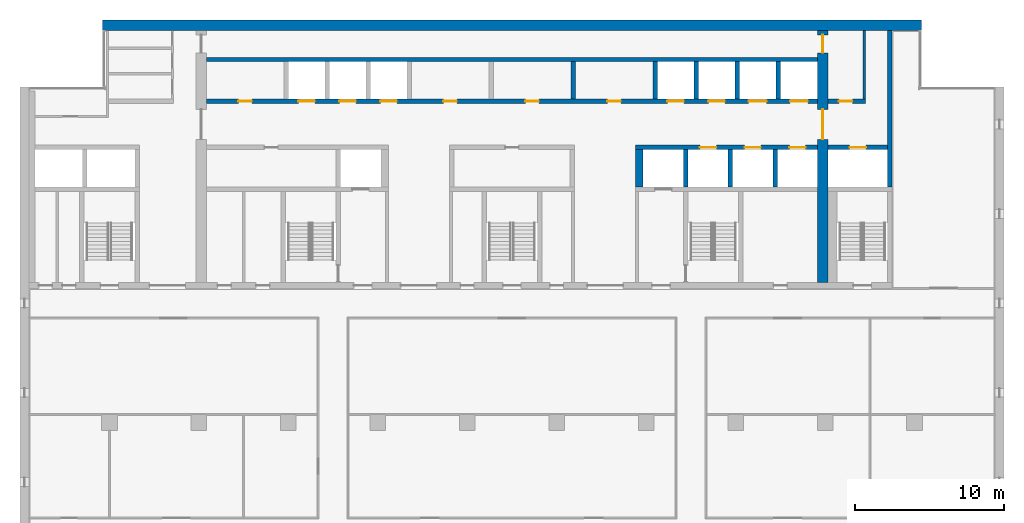
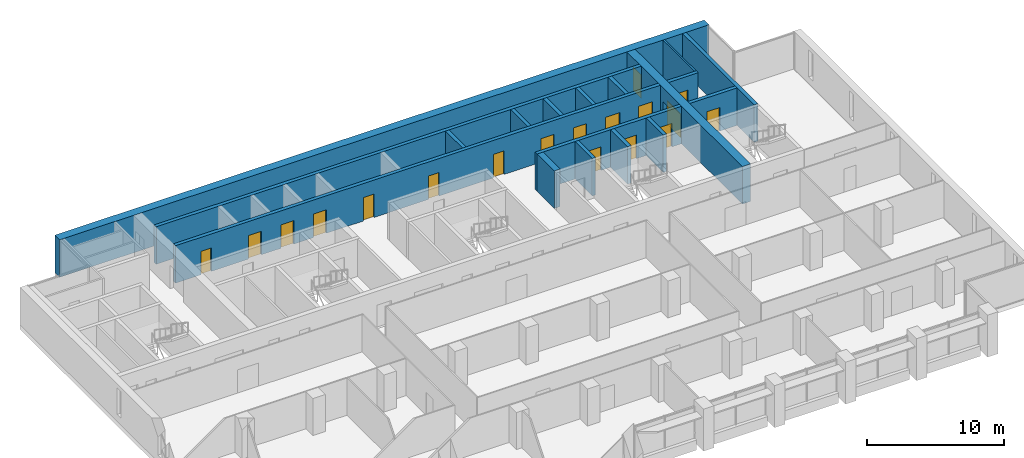
# One storey, part 11 of 17: 18 doors, 18 walls, 18 openings.
"""IFC4 building model written with IfcOpenShell, lengths in metres."""

import ifcopenshell
import ifcopenshell.guid

model = None  # the IFC model being written
_history = None  # IfcOwnerHistory: only IFC2X3 demands one
_inside = {}  # id of a spatial element -> (the spatial element, [elements in it])
_under = {}  # id of a project, library or spatial element -> (it, [spatial elements below it])
_declared = {}  # id of a project -> (the project, [libraries it declares])
_typed = {}  # id of a type object -> (the type object, [elements of that type])
_made_of = {}  # id of a material, layer set ... -> (it, [elements and type objects made of it])


def new_model(schema):
    """Start an empty IFC model of exactly this schema.

    Asked for "IFC4X3", IfcOpenShell would pick the latest addendum, in which some entities
    have other attributes; the version numbers below select the first issue.
    IFC2X3 requires an IfcOwnerHistory on every rooted entity: one is made here for all.
    """
    global model, _history
    if schema == "IFC4X3":
        model = ifcopenshell.file(schema_version=(4, 3, 0, 0))
    else:
        model = ifcopenshell.file(schema=schema)
    _inside.clear()
    _under.clear()
    _declared.clear()
    _typed.clear()
    _made_of.clear()
    _history = None
    if model.schema == "IFC2X3":
        org = make("IfcOrganization", Name="unknown")
        user = make(
            "IfcPersonAndOrganization",
            ThePerson=make("IfcPerson", FamilyName="unknown"),
            TheOrganization=org,
        )
        app = make(
            "IfcApplication",
            ApplicationDeveloper=org,
            Version="unknown",
            ApplicationFullName="unknown",
            ApplicationIdentifier="unknown",
        )
        _history = make(
            "IfcOwnerHistory",
            OwningUser=user,
            OwningApplication=app,
            ChangeAction="ADDED",
            CreationDate=0,
        )
    return model


def make(cls, **values):
    """One entity of the class cls with the attributes given. An attribute that is None is left unset."""
    return model.create_entity(
        cls, **{name: value for name, value in values.items() if value is not None}
    )


def rooted(cls, **values):
    """An entity with a GlobalId (a new one), such as an element, a storey or a relation."""
    return make(cls, GlobalId=ifcopenshell.guid.new(), OwnerHistory=_history, **values)


def si_unit(unit_type, name, prefix=None):
    """IfcSIUnit, for example si_unit("LENGTHUNIT", "METRE", prefix="MILLI")."""
    return make("IfcSIUnit", UnitType=unit_type, Prefix=prefix, Name=name)


def assignment(units):
    """IfcUnitAssignment: the units of a project."""
    return None if units is None else make("IfcUnitAssignment", Units=units)


def point(xyz):
    """IfcCartesianPoint."""
    return None if xyz is None else make("IfcCartesianPoint", Coordinates=xyz)


def direction(xyz):
    """IfcDirection."""
    return None if xyz is None else make("IfcDirection", DirectionRatios=xyz)


def frame(location, z_axis=None, x_axis=None):
    """IfcAxis2Placement3D, a coordinate frame: its origin and axes. An axis left out is left unset."""
    return make(
        "IfcAxis2Placement3D",
        Location=point(location),
        Axis=direction(z_axis),
        RefDirection=direction(x_axis),
    )


def frame_2d(location, x_axis=None):
    """IfcAxis2Placement2D, a coordinate frame in the plane: its origin and x axis."""
    return make(
        "IfcAxis2Placement2D", Location=point(location), RefDirection=direction(x_axis)
    )


def origin():
    """The frame at (0, 0, 0) with its axes left unset."""
    return frame((0.0, 0.0, 0.0))


def place(relative_to, where):
    """IfcLocalPlacement: puts the frame where relative to a parent placement (None: the world)."""
    return make(
        "IfcLocalPlacement", PlacementRelTo=relative_to, RelativePlacement=where
    )


def context(
    kind, dimensions, precision=None, world=None, true_north=None, identifier=None
):
    """IfcGeometricRepresentationContext, for example the 3D "Model" context."""
    return make(
        "IfcGeometricRepresentationContext",
        ContextIdentifier=identifier,
        ContextType=kind,
        CoordinateSpaceDimension=dimensions,
        Precision=precision,
        WorldCoordinateSystem=world,
        TrueNorth=true_north,
    )


def subcontext(parent, identifier, kind, view, scale=None):
    """IfcGeometricRepresentationSubContext, for example "Body" below "Model"."""
    return make(
        "IfcGeometricRepresentationSubContext",
        ContextIdentifier=identifier,
        ContextType=kind,
        ParentContext=parent,
        TargetScale=scale,
        TargetView=view,
    )


def project(units=None, contexts=None):
    """IfcProject with its units and contexts."""
    return rooted(
        "IfcProject",
        Name="project",
        RepresentationContexts=contexts,
        UnitsInContext=assignment(units),
    )


def spatial(cls, under=None, at=None, **own):
    """A site, building, storey or space (cls), placed at a placement, below another one or the project."""
    s = rooted(cls, ObjectPlacement=at, **own)
    if under is not None:
        _under.setdefault(under.id(), (under, []))[1].append(s)
    return s


def profile(cls, at=None, kind="AREA", **sizes):
    """A parametric profile (cls). Its sizes go by their IFC names, for example OverallWidth=200.0."""
    return make(cls, ProfileType=kind, Position=at, **sizes)


def rectangle(**sizes):
    """IfcRectangleProfileDef."""
    return profile("IfcRectangleProfileDef", **sizes)


def extrude(swept, where, along, depth):
    """IfcExtrudedAreaSolid: the profile swept, set in the frame where, extruded along a direction by depth."""
    return make(
        "IfcExtrudedAreaSolid",
        SweptArea=swept,
        Position=where,
        ExtrudedDirection=direction(along),
        Depth=depth,
    )


def shape(context_of_items, identifier, shape_type, items):
    """IfcShapeRepresentation: the items that make up one representation, for example the "Body"."""
    return make(
        "IfcShapeRepresentation",
        ContextOfItems=context_of_items,
        RepresentationIdentifier=identifier,
        RepresentationType=shape_type,
        Items=items,
    )


def material(Name=None, Category=None):
    """IfcMaterial."""
    return make("IfcMaterial", Name=Name, Category=Category)


def layer(
    of_material, thickness, ventilated=None, Name=None, Category=None, Priority=None
):
    """IfcMaterialLayer: one layer of a wall or slab, of a material (None: an air gap)."""
    return make(
        "IfcMaterialLayer",
        Material=of_material,
        LayerThickness=thickness,
        IsVentilated=ventilated,
        Name=Name,
        Category=Category,
        Priority=Priority,
    )


def layer_set(layers, Name=None):
    """IfcMaterialLayerSet."""
    return make("IfcMaterialLayerSet", MaterialLayers=layers, LayerSetName=Name)


def made_of(thing, what):
    """Note that an element or type object is made of a material, layer set ...; save() writes the relation."""
    if what is not None:
        _made_of.setdefault(what.id(), (what, []))[1].append(thing)
    return thing


def type_object(cls, material=None, **own):
    """A type object (cls), such as IfcWallType, which elements share."""
    return made_of(rooted(cls, **own), material)


def element(
    cls,
    number,
    at=None,
    inside=None,
    cuts=None,
    type_object=None,
    material=None,
    context=None,
    identifier="Body",
    shape_type=None,
    held_by="IfcProductDefinitionShape",
    body=None,
    shapes=None,
    **own,
):
    """One element of the class cls, such as IfcWall. Its Tag is "e" and its number.

    at: its placement. inside: the storey or other place that contains it. cuts: it is an
    opening in that element (IfcRelVoidsElement). A single representation is given by context,
    identifier, shape_type and body (its items); several are given by shapes. held_by: the class
    of the entity that holds the representations. save() writes the other relations.
    """
    e = rooted(cls, Tag="e%d" % number, ObjectPlacement=at, **own)
    if body is not None:
        shapes = [shape(context, identifier, shape_type, body)]
    if shapes is not None:
        e.Representation = make(held_by, Representations=shapes)
    if inside is not None:
        _inside.setdefault(inside.id(), (inside, []))[1].append(e)
    if cuts is not None:
        rooted(
            "IfcRelVoidsElement", RelatingBuildingElement=cuts, RelatedOpeningElement=e
        )
    if type_object is not None:
        _typed.setdefault(type_object.id(), (type_object, []))[1].append(e)
    return made_of(e, material)


def fill(opening, filler):
    """IfcRelFillsElement: the door or window that sits in an opening."""
    return rooted(
        "IfcRelFillsElement",
        RelatingOpeningElement=opening,
        RelatedBuildingElement=filler,
    )


def aggregate(whole, parts):
    """IfcRelAggregates: a whole, such as a stair, and the parts it consists of."""
    return rooted("IfcRelAggregates", RelatingObject=whole, RelatedObjects=parts)


def save(model, path):
    """Write the relations noted so far, then the file.

    IfcRelAggregates (storeys below a building ...), IfcRelContainedInSpatialStructure (elements
    in a storey), IfcRelDefinesByType, IfcRelAssociatesMaterial and IfcRelDeclares: one each for
    every whole, place, type object, material and project.
    """
    for whole, parts in _under.values():
        aggregate(whole, parts)
    for where, things in _inside.values():
        rooted(
            "IfcRelContainedInSpatialStructure",
            RelatedElements=things,
            RelatingStructure=where,
        )
    for kind, things in _typed.values():
        rooted("IfcRelDefinesByType", RelatedObjects=things, RelatingType=kind)
    for what, things in _made_of.values():
        rooted("IfcRelAssociatesMaterial", RelatedObjects=things, RelatingMaterial=what)
    for by, libraries in _declared.values():
        rooted("IfcRelDeclares", RelatingContext=by, RelatedDefinitions=libraries)
    model.write(path)


model = new_model("IFC4")

# Units and contexts
model_context = context("Model", 3, precision=1e-05, world=origin(), true_north=direction((0.0, 1.0)))
body_context = subcontext(model_context, "Body", "Model", "MODEL_VIEW")
ifc_project = project(units=[si_unit("LENGTHUNIT", "METRE"), si_unit("AREAUNIT", "SQUARE_METRE"), si_unit("VOLUMEUNIT", "CUBIC_METRE"), si_unit("PLANEANGLEUNIT", "RADIAN"), si_unit("MASSUNIT", "GRAM", prefix="KILO")], contexts=[model_context])

# Site, building, storey
site_placement = place(None, origin())
site = spatial("IfcSite", under=ifc_project, at=site_placement, CompositionType="ELEMENT")
building_placement = place(site_placement, origin())
building = spatial("IfcBuilding", under=site, at=building_placement, Name="Calvaro Tower", CompositionType="ELEMENT")
storey_placement = place(building_placement, frame((0.0, 0.0, 208.0)))
storey = spatial("IfcBuildingStorey", under=building, at=storey_placement, Name="L52", CompositionType="ELEMENT", Elevation=208.0)

# Wall
ifc_material_1 = material(Name="Blockwork partition", Category="masonry")
ifc_layer_1 = layer(ifc_material_1, 0.14990234375)
ifc_layer_set_1 = layer_set([ifc_layer_1], Name="Blockwork partition")
wall_type_1 = type_object("IfcWallType", Name="Core partition 150 REI 120", PredefinedType="PARTITIONING", material=ifc_layer_set_1)
wall_1_placement = place(storey_placement, frame((62.625, 40.699951171875, 0.0), z_axis=(0.0, 0.0, 1.0), x_axis=(0.0, 1.0, 0.0)))
element("IfcWall", 1, at=wall_1_placement, inside=storey, type_object=wall_type_1, Name="Core partition", PredefinedType="PARTITIONING", context=body_context, shape_type="SweptSolid", body=[
    extrude(rectangle(XDim=4.60009765625, YDim=0.14990234375, at=frame_2d((2.300048828125, 0.0))), origin(), (0.0, 0.0, 1.0), 3.35009765625),
])

# Wall, opening, door
ifc_material_2 = material(Name="Blockwork partition", Category="masonry")
ifc_layer_2 = layer(ifc_material_2, 0.300048828125)
ifc_layer_set_2 = layer_set([ifc_layer_2], Name="Blockwork partition")
wall_type_2 = type_object("IfcWallType", Name="Core partition 300 REI 120", PredefinedType="PARTITIONING", material=ifc_layer_set_2)
wall_2_placement = place(storey_placement, frame((60.199951171875, 40.550048828125, 0.0), z_axis=(0.0, 0.0, 1.0), x_axis=(1.0, 0.0, 0.0)))
wall_2 = element("IfcWall", 2, at=wall_2_placement, inside=storey, type_object=wall_type_2, Name="Core partition", PredefinedType="PARTITIONING", context=body_context, shape_type="SweptSolid", body=[
    extrude(rectangle(XDim=2.5, YDim=0.300048828125, at=frame_2d((1.25, 0.0))), origin(), (0.0, 0.0, 1.0), 3.35009765625),
])
opening_1_placement = place(wall_2_placement, frame((0.72509765625, 0.0, 0.0)))
opening_1 = element("IfcOpeningElement", 3, at=opening_1_placement, cuts=wall_2, Name="Opening RD9C", PredefinedType="OPENING", context=body_context, shape_type="SweptSolid", body=[
    extrude(rectangle(XDim=0.89990234375, YDim=2.10009765625, at=frame_2d((0.449951171875, 1.050048828125))), frame((0.0, 0.159912109375, 0.0), z_axis=(0.0, -1.0, 0.0), x_axis=(1.0, 0.0, 0.0)), (0.0, 0.0, 1.0), 0.320068359375),
])
ifc_material_3 = material(Name="Steel door set", Category="steel")
door_type_1 = type_object("IfcDoorType", Name="Room door 900 FD30", OperationType="SINGLE_SWING_LEFT", PredefinedType="DOOR", material=ifc_material_3)
door_1_placement = place(opening_1_placement, origin())
door_1 = element("IfcDoor", 4, at=door_1_placement, inside=storey, type_object=door_type_1, Name="Room door", OperationType="SINGLE_SWING_LEFT", OverallHeight=2.10009765625, OverallWidth=0.89990234375, PredefinedType="DOOR", context=body_context, shape_type="SweptSolid", body=[
    extrude(rectangle(XDim=0.89990234375, YDim=2.10009765625, at=frame_2d((0.449951171875, 1.050048828125))), frame((0.0, 0.02490234375, 0.0), z_axis=(0.0, -1.0, 0.0), x_axis=(1.0, 0.0, 0.0)), (0.0, 0.0, 1.0), 0.050048828125),
])
fill(opening_1, door_1)

# Walls
wall_3_placement = place(storey_placement, frame((43.10009765625, 40.699951171875, 0.0), z_axis=(0.0, 0.0, 1.0), x_axis=(0.0, 1.0, 0.0)))
element("IfcWall", 5, at=wall_3_placement, inside=storey, type_object=wall_type_2, Name="Core partition", PredefinedType="PARTITIONING", context=body_context, shape_type="SweptSolid", body=[
    extrude(rectangle(XDim=2.5, YDim=0.300048828125, at=frame_2d((1.25, 0.0))), origin(), (0.0, 0.0, 1.0), 3.35009765625),
])
ifc_material_4 = material(Name="Concrete C50/60", Category="concrete")
ifc_layer_3 = layer(ifc_material_4, 0.300048828125)
ifc_layer_set_3 = layer_set([ifc_layer_3], Name="Concrete C50/60")
wall_type_3 = type_object("IfcWallType", Name="Core wall C50/60 300", PredefinedType="SHEAR", material=ifc_layer_set_3)
wall_4_placement = place(storey_placement, frame((64.35009765625, 34.800048828125, 0.0), z_axis=(0.0, 0.0, 1.0), x_axis=(0.0, 1.0, 0.0)))
element("IfcWall", 6, at=wall_4_placement, inside=storey, type_object=wall_type_3, Name="Core wall, boundary", PredefinedType="SHEAR", context=body_context, shape_type="SweptSolid", body=[
    extrude(rectangle(XDim=10.5, YDim=0.300048828125, at=frame_2d((5.25, 0.0))), origin(), (0.0, 0.0, 1.0), 3.35009765625),
])

# Wall, openings, doors
wall_5_placement = place(storey_placement, frame((47.300048828125, 37.449951171875, 0.0), z_axis=(0.0, 0.0, 1.0), x_axis=(1.0, 0.0, 0.0)))
wall_5 = element("IfcWall", 7, at=wall_5_placement, inside=storey, type_object=wall_type_3, Name="Core wall, lift shaft", PredefinedType="SHEAR", context=body_context, shape_type="SweptSolid", body=[
    extrude(rectangle(XDim=12.199951171875, YDim=0.300048828125, at=frame_2d((6.10009765625, 0.0))), origin(), (0.0, 0.0, 1.0), 3.35009765625),
])
opening_2_placement = place(wall_5_placement, frame((4.300048828125, 0.0, 0.0)))
opening_2 = element("IfcOpeningElement", 8, at=opening_2_placement, cuts=wall_5, Name="Opening HR1", PredefinedType="OPENING", context=body_context, shape_type="SweptSolid", body=[
    extrude(rectangle(XDim=1.10009765625, YDim=2.10009765625, at=frame_2d((0.550048828125, 1.050048828125))), frame((0.0, 0.159912109375, 0.0), z_axis=(0.0, -1.0, 0.0), x_axis=(1.0, 0.0, 0.0)), (0.0, 0.0, 1.0), 0.320068359375),
])
opening_3_placement = place(wall_5_placement, frame((7.300048828125, 0.0, 0.0)))
opening_3 = element("IfcOpeningElement", 9, at=opening_3_placement, cuts=wall_5, Name="Opening HR2", PredefinedType="OPENING", context=body_context, shape_type="SweptSolid", body=[
    extrude(rectangle(XDim=1.10009765625, YDim=2.10009765625, at=frame_2d((0.550048828125, 1.050048828125))), frame((0.0, 0.159912109375, 0.0), z_axis=(0.0, -1.0, 0.0), x_axis=(1.0, 0.0, 0.0)), (0.0, 0.0, 1.0), 0.320068359375),
])
opening_4_placement = place(wall_5_placement, frame((10.300048828125, 0.0, 0.0)))
opening_4 = element("IfcOpeningElement", 10, at=opening_4_placement, cuts=wall_5, Name="Opening HR3", PredefinedType="OPENING", context=body_context, shape_type="SweptSolid", body=[
    extrude(rectangle(XDim=1.10009765625, YDim=2.10009765625, at=frame_2d((0.550048828125, 1.050048828125))), frame((0.0, 0.159912109375, 0.0), z_axis=(0.0, -1.0, 0.0), x_axis=(1.0, 0.0, 0.0)), (0.0, 0.0, 1.0), 0.320068359375),
])
ifc_material_5 = material(Name="Stainless steel", Category="steel")
door_type_2 = type_object("IfcDoorType", Name="Landing door 1100 E 60", OperationType="SLIDING_TO_LEFT", PredefinedType="DOOR", material=ifc_material_5)
door_2_placement = place(opening_2_placement, origin())
door_2 = element("IfcDoor", 11, at=door_2_placement, inside=storey, type_object=door_type_2, Name="Landing door HR1", OperationType="SLIDING_TO_LEFT", OverallHeight=2.10009765625, OverallWidth=1.10009765625, PredefinedType="DOOR", context=body_context, shape_type="SweptSolid", body=[
    extrude(rectangle(XDim=1.10009765625, YDim=2.10009765625, at=frame_2d((0.550048828125, 1.050048828125))), frame((0.0, 0.02490234375, 0.0), z_axis=(0.0, -1.0, 0.0), x_axis=(1.0, 0.0, 0.0)), (0.0, 0.0, 1.0), 0.050048828125),
])
fill(opening_2, door_2)
door_3_placement = place(opening_3_placement, origin())
door_3 = element("IfcDoor", 12, at=door_3_placement, inside=storey, type_object=door_type_2, Name="Landing door HR2", OperationType="SLIDING_TO_LEFT", OverallHeight=2.10009765625, OverallWidth=1.10009765625, PredefinedType="DOOR", context=body_context, shape_type="SweptSolid", body=[
    extrude(rectangle(XDim=1.10009765625, YDim=2.10009765625, at=frame_2d((0.550048828125, 1.050048828125))), frame((0.0, 0.02490234375, 0.0), z_axis=(0.0, -1.0, 0.0), x_axis=(1.0, 0.0, 0.0)), (0.0, 0.0, 1.0), 0.050048828125),
])
fill(opening_3, door_3)
door_4_placement = place(opening_4_placement, origin())
door_4 = element("IfcDoor", 13, at=door_4_placement, inside=storey, type_object=door_type_2, Name="Landing door HR3", OperationType="SLIDING_TO_LEFT", OverallHeight=2.10009765625, OverallWidth=1.10009765625, PredefinedType="DOOR", context=body_context, shape_type="SweptSolid", body=[
    extrude(rectangle(XDim=1.10009765625, YDim=2.10009765625, at=frame_2d((0.550048828125, 1.050048828125))), frame((0.0, 0.02490234375, 0.0), z_axis=(0.0, -1.0, 0.0), x_axis=(1.0, 0.0, 0.0)), (0.0, 0.0, 1.0), 0.050048828125),
])
fill(opening_4, door_4)

# Wall, opening, door
wall_6_placement = place(storey_placement, frame((60.199951171875, 37.449951171875, 0.0), z_axis=(0.0, 0.0, 1.0), x_axis=(1.0, 0.0, 0.0)))
wall_6 = element("IfcWall", 14, at=wall_6_placement, inside=storey, type_object=wall_type_3, Name="Core wall, lift shaft", PredefinedType="SHEAR", context=body_context, shape_type="SweptSolid", body=[
    extrude(rectangle(XDim=4.0, YDim=0.300048828125, at=frame_2d((2.0, 0.0))), origin(), (0.0, 0.0, 1.0), 3.35009765625),
])
opening_5_placement = place(wall_6_placement, frame((1.449951171875, 0.0, 0.0)))
opening_5 = element("IfcOpeningElement", 15, at=opening_5_placement, cuts=wall_6, Name="Opening FF3", PredefinedType="OPENING", context=body_context, shape_type="SweptSolid", body=[
    extrude(rectangle(XDim=1.10009765625, YDim=2.10009765625, at=frame_2d((0.550048828125, 1.050048828125))), frame((0.0, 0.159912109375, 0.0), z_axis=(0.0, -1.0, 0.0), x_axis=(1.0, 0.0, 0.0)), (0.0, 0.0, 1.0), 0.320068359375),
])
door_5_placement = place(opening_5_placement, origin())
door_5 = element("IfcDoor", 16, at=door_5_placement, inside=storey, type_object=door_type_2, Name="Landing door FF3", OperationType="SLIDING_TO_LEFT", OverallHeight=2.10009765625, OverallWidth=1.10009765625, PredefinedType="DOOR", context=body_context, shape_type="SweptSolid", body=[
    extrude(rectangle(XDim=1.10009765625, YDim=2.10009765625, at=frame_2d((0.550048828125, 1.050048828125))), frame((0.0, 0.02490234375, 0.0), z_axis=(0.0, -1.0, 0.0), x_axis=(1.0, 0.0, 0.0)), (0.0, 0.0, 1.0), 0.050048828125),
])
fill(opening_5, door_5)

# Wall
wall_7_placement = place(storey_placement, frame((50.64990234375, 34.800048828125, 0.0), z_axis=(0.0, 0.0, 1.0), x_axis=(0.0, 1.0, 0.0)))
element("IfcWall", 17, at=wall_7_placement, inside=storey, type_object=wall_type_3, Name="Core wall, lift shaft", PredefinedType="SHEAR", context=body_context, shape_type="SweptSolid", body=[
    extrude(rectangle(XDim=2.5, YDim=0.300048828125, at=frame_2d((1.25, 0.0))), origin(), (0.0, 0.0, 1.0), 3.35009765625),
])

# Wall, openings, doors
wall_8_placement = place(storey_placement, frame((18.5, 40.550048828125, 0.0), z_axis=(0.0, 0.0, 1.0), x_axis=(1.0, 0.0, 0.0)))
wall_8 = element("IfcWall", 18, at=wall_8_placement, inside=storey, type_object=wall_type_3, Name="Core wall, bay", PredefinedType="SHEAR", context=body_context, shape_type="SweptSolid", body=[
    extrude(rectangle(XDim=41.0, YDim=0.300048828125, at=frame_2d((20.5, 0.0))), origin(), (0.0, 0.0, 1.0), 3.35009765625),
])
opening_6_placement = place(wall_8_placement, frame((2.14990234375, 0.0, 0.0)))
opening_6 = element("IfcOpeningElement", 19, at=opening_6_placement, cuts=wall_8, Name="Opening RD9C", PredefinedType="OPENING", context=body_context, shape_type="SweptSolid", body=[
    extrude(rectangle(XDim=0.89990234375, YDim=2.10009765625, at=frame_2d((0.449951171875, 1.050048828125))), frame((0.0, 0.159912109375, 0.0), z_axis=(0.0, -1.0, 0.0), x_axis=(1.0, 0.0, 0.0)), (0.0, 0.0, 1.0), 0.320068359375),
])
opening_7_placement = place(wall_8_placement, frame((15.89990234375, 0.0, 0.0)))
opening_7 = element("IfcOpeningElement", 20, at=opening_7_placement, cuts=wall_8, Name="Opening RD9E", PredefinedType="OPENING", context=body_context, shape_type="SweptSolid", body=[
    extrude(rectangle(XDim=0.89990234375, YDim=2.10009765625, at=frame_2d((0.449951171875, 1.050048828125))), frame((0.0, 0.159912109375, 0.0), z_axis=(0.0, -1.0, 0.0), x_axis=(1.0, 0.0, 0.0)), (0.0, 0.0, 1.0), 0.320068359375),
])
opening_8_placement = place(wall_8_placement, frame((21.39990234375, 0.0, 0.0)))
opening_8 = element("IfcOpeningElement", 21, at=opening_8_placement, cuts=wall_8, Name="Opening RD9C", PredefinedType="OPENING", context=body_context, shape_type="SweptSolid", body=[
    extrude(rectangle(XDim=0.89990234375, YDim=2.10009765625, at=frame_2d((0.449951171875, 1.050048828125))), frame((0.0, 0.159912109375, 0.0), z_axis=(0.0, -1.0, 0.0), x_axis=(1.0, 0.0, 0.0)), (0.0, 0.0, 1.0), 0.320068359375),
])
opening_9_placement = place(wall_8_placement, frame((26.89990234375, 0.0, 0.0)))
opening_9 = element("IfcOpeningElement", 22, at=opening_9_placement, cuts=wall_8, Name="Opening RD9E", PredefinedType="OPENING", context=body_context, shape_type="SweptSolid", body=[
    extrude(rectangle(XDim=0.89990234375, YDim=2.10009765625, at=frame_2d((0.449951171875, 1.050048828125))), frame((0.0, 0.159912109375, 0.0), z_axis=(0.0, -1.0, 0.0), x_axis=(1.0, 0.0, 0.0)), (0.0, 0.0, 1.0), 0.320068359375),
])
opening_10_placement = place(wall_8_placement, frame((6.175048828125, 0.0, 0.0)))
opening_10 = element("IfcOpeningElement", 23, at=opening_10_placement, cuts=wall_8, Name="Opening HR4", PredefinedType="OPENING", context=body_context, shape_type="SweptSolid", body=[
    extrude(rectangle(XDim=1.10009765625, YDim=2.10009765625, at=frame_2d((0.550048828125, 1.050048828125))), frame((0.0, 0.159912109375, 0.0), z_axis=(0.0, -1.0, 0.0), x_axis=(1.0, 0.0, 0.0)), (0.0, 0.0, 1.0), 0.320068359375),
])
opening_11_placement = place(wall_8_placement, frame((8.925048828125, 0.0, 0.0)))
opening_11 = element("IfcOpeningElement", 24, at=opening_11_placement, cuts=wall_8, Name="Opening HR5", PredefinedType="OPENING", context=body_context, shape_type="SweptSolid", body=[
    extrude(rectangle(XDim=1.10009765625, YDim=2.10009765625, at=frame_2d((0.550048828125, 1.050048828125))), frame((0.0, 0.159912109375, 0.0), z_axis=(0.0, -1.0, 0.0), x_axis=(1.0, 0.0, 0.0)), (0.0, 0.0, 1.0), 0.320068359375),
])
opening_12_placement = place(wall_8_placement, frame((11.675048828125, 0.0, 0.0)))
opening_12 = element("IfcOpeningElement", 25, at=opening_12_placement, cuts=wall_8, Name="Opening HR6", PredefinedType="OPENING", context=body_context, shape_type="SweptSolid", body=[
    extrude(rectangle(XDim=1.10009765625, YDim=2.10009765625, at=frame_2d((0.550048828125, 1.050048828125))), frame((0.0, 0.159912109375, 0.0), z_axis=(0.0, -1.0, 0.0), x_axis=(1.0, 0.0, 0.0)), (0.0, 0.0, 1.0), 0.320068359375),
])
opening_13_placement = place(wall_8_placement, frame((30.925048828125, 0.0, 0.0)))
opening_13 = element("IfcOpeningElement", 26, at=opening_13_placement, cuts=wall_8, Name="Opening HR7", PredefinedType="OPENING", context=body_context, shape_type="SweptSolid", body=[
    extrude(rectangle(XDim=1.10009765625, YDim=2.10009765625, at=frame_2d((0.550048828125, 1.050048828125))), frame((0.0, 0.159912109375, 0.0), z_axis=(0.0, -1.0, 0.0), x_axis=(1.0, 0.0, 0.0)), (0.0, 0.0, 1.0), 0.320068359375),
])
opening_14_placement = place(wall_8_placement, frame((33.675048828125, 0.0, 0.0)))
opening_14 = element("IfcOpeningElement", 27, at=opening_14_placement, cuts=wall_8, Name="Opening HR8", PredefinedType="OPENING", context=body_context, shape_type="SweptSolid", body=[
    extrude(rectangle(XDim=1.10009765625, YDim=2.10009765625, at=frame_2d((0.550048828125, 1.050048828125))), frame((0.0, 0.159912109375, 0.0), z_axis=(0.0, -1.0, 0.0), x_axis=(1.0, 0.0, 0.0)), (0.0, 0.0, 1.0), 0.320068359375),
])
opening_15_placement = place(wall_8_placement, frame((36.375, 0.0, 0.0)))
opening_15 = element("IfcOpeningElement", 28, at=opening_15_placement, cuts=wall_8, Name="Opening SV1", PredefinedType="OPENING", context=body_context, shape_type="SweptSolid", body=[
    extrude(rectangle(XDim=1.199951171875, YDim=2.10009765625, at=frame_2d((0.60009765625, 1.050048828125))), frame((0.0, 0.159912109375, 0.0), z_axis=(0.0, -1.0, 0.0), x_axis=(1.0, 0.0, 0.0)), (0.0, 0.0, 1.0), 0.320068359375),
])
opening_16_placement = place(wall_8_placement, frame((39.14990234375, 0.0, 0.0)))
opening_16 = element("IfcOpeningElement", 29, at=opening_16_placement, cuts=wall_8, Name="Opening SV2", PredefinedType="OPENING", context=body_context, shape_type="SweptSolid", body=[
    extrude(rectangle(XDim=1.199951171875, YDim=2.10009765625, at=frame_2d((0.60009765625, 1.050048828125))), frame((0.0, 0.159912109375, 0.0), z_axis=(0.0, -1.0, 0.0), x_axis=(1.0, 0.0, 0.0)), (0.0, 0.0, 1.0), 0.320068359375),
])
door_6_placement = place(opening_10_placement, origin())
door_6 = element("IfcDoor", 30, at=door_6_placement, inside=storey, type_object=door_type_2, Name="Landing door HR4", OperationType="SLIDING_TO_LEFT", OverallHeight=2.10009765625, OverallWidth=1.10009765625, PredefinedType="DOOR", context=body_context, shape_type="SweptSolid", body=[
    extrude(rectangle(XDim=1.10009765625, YDim=2.10009765625, at=frame_2d((0.550048828125, 1.050048828125))), frame((0.0, 0.02490234375, 0.0), z_axis=(0.0, -1.0, 0.0), x_axis=(1.0, 0.0, 0.0)), (0.0, 0.0, 1.0), 0.050048828125),
])
fill(opening_10, door_6)
door_7_placement = place(opening_11_placement, origin())
door_7 = element("IfcDoor", 31, at=door_7_placement, inside=storey, type_object=door_type_2, Name="Landing door HR5", OperationType="SLIDING_TO_LEFT", OverallHeight=2.10009765625, OverallWidth=1.10009765625, PredefinedType="DOOR", context=body_context, shape_type="SweptSolid", body=[
    extrude(rectangle(XDim=1.10009765625, YDim=2.10009765625, at=frame_2d((0.550048828125, 1.050048828125))), frame((0.0, 0.02490234375, 0.0), z_axis=(0.0, -1.0, 0.0), x_axis=(1.0, 0.0, 0.0)), (0.0, 0.0, 1.0), 0.050048828125),
])
fill(opening_11, door_7)
door_8_placement = place(opening_12_placement, origin())
door_8 = element("IfcDoor", 32, at=door_8_placement, inside=storey, type_object=door_type_2, Name="Landing door HR6", OperationType="SLIDING_TO_LEFT", OverallHeight=2.10009765625, OverallWidth=1.10009765625, PredefinedType="DOOR", context=body_context, shape_type="SweptSolid", body=[
    extrude(rectangle(XDim=1.10009765625, YDim=2.10009765625, at=frame_2d((0.550048828125, 1.050048828125))), frame((0.0, 0.02490234375, 0.0), z_axis=(0.0, -1.0, 0.0), x_axis=(1.0, 0.0, 0.0)), (0.0, 0.0, 1.0), 0.050048828125),
])
fill(opening_12, door_8)
door_9_placement = place(opening_13_placement, origin())
door_9 = element("IfcDoor", 33, at=door_9_placement, inside=storey, type_object=door_type_2, Name="Landing door HR7", OperationType="SLIDING_TO_LEFT", OverallHeight=2.10009765625, OverallWidth=1.10009765625, PredefinedType="DOOR", context=body_context, shape_type="SweptSolid", body=[
    extrude(rectangle(XDim=1.10009765625, YDim=2.10009765625, at=frame_2d((0.550048828125, 1.050048828125))), frame((0.0, 0.02490234375, 0.0), z_axis=(0.0, -1.0, 0.0), x_axis=(1.0, 0.0, 0.0)), (0.0, 0.0, 1.0), 0.050048828125),
])
fill(opening_13, door_9)
door_10_placement = place(opening_14_placement, origin())
door_10 = element("IfcDoor", 34, at=door_10_placement, inside=storey, type_object=door_type_2, Name="Landing door HR8", OperationType="SLIDING_TO_LEFT", OverallHeight=2.10009765625, OverallWidth=1.10009765625, PredefinedType="DOOR", context=body_context, shape_type="SweptSolid", body=[
    extrude(rectangle(XDim=1.10009765625, YDim=2.10009765625, at=frame_2d((0.550048828125, 1.050048828125))), frame((0.0, 0.02490234375, 0.0), z_axis=(0.0, -1.0, 0.0), x_axis=(1.0, 0.0, 0.0)), (0.0, 0.0, 1.0), 0.050048828125),
])
fill(opening_14, door_10)
ifc_material_6 = material(Name="Stainless steel", Category="steel")
door_type_3 = type_object("IfcDoorType", Name="Landing door 1200 E 60", OperationType="SLIDING_TO_LEFT", PredefinedType="DOOR", material=ifc_material_6)
door_11_placement = place(opening_15_placement, origin())
door_11 = element("IfcDoor", 35, at=door_11_placement, inside=storey, type_object=door_type_3, Name="Landing door SV1", OperationType="SLIDING_TO_LEFT", OverallHeight=2.10009765625, OverallWidth=1.199951171875, PredefinedType="DOOR", context=body_context, shape_type="SweptSolid", body=[
    extrude(rectangle(XDim=1.199951171875, YDim=2.10009765625, at=frame_2d((0.60009765625, 1.050048828125))), frame((0.0, 0.02490234375, 0.0), z_axis=(0.0, -1.0, 0.0), x_axis=(1.0, 0.0, 0.0)), (0.0, 0.0, 1.0), 0.050048828125),
])
fill(opening_15, door_11)
door_12_placement = place(opening_16_placement, origin())
door_12 = element("IfcDoor", 36, at=door_12_placement, inside=storey, type_object=door_type_3, Name="Landing door SV2", OperationType="SLIDING_TO_LEFT", OverallHeight=2.10009765625, OverallWidth=1.199951171875, PredefinedType="DOOR", context=body_context, shape_type="SweptSolid", body=[
    extrude(rectangle(XDim=1.199951171875, YDim=2.10009765625, at=frame_2d((0.60009765625, 1.050048828125))), frame((0.0, 0.02490234375, 0.0), z_axis=(0.0, -1.0, 0.0), x_axis=(1.0, 0.0, 0.0)), (0.0, 0.0, 1.0), 0.050048828125),
])
fill(opening_16, door_12)
door_13_placement = place(opening_6_placement, origin())
door_13 = element("IfcDoor", 37, at=door_13_placement, inside=storey, type_object=door_type_1, Name="Room door", OperationType="SINGLE_SWING_RIGHT", OverallHeight=2.10009765625, OverallWidth=0.89990234375, PredefinedType="DOOR", context=body_context, shape_type="SweptSolid", body=[
    extrude(rectangle(XDim=0.89990234375, YDim=2.10009765625, at=frame_2d((0.449951171875, 1.050048828125))), frame((0.0, 0.02490234375, 0.0), z_axis=(0.0, -1.0, 0.0), x_axis=(1.0, 0.0, 0.0)), (0.0, 0.0, 1.0), 0.050048828125),
])
fill(opening_6, door_13)
door_14_placement = place(opening_8_placement, origin())
door_14 = element("IfcDoor", 38, at=door_14_placement, inside=storey, type_object=door_type_1, Name="Room door", OperationType="SINGLE_SWING_LEFT", OverallHeight=2.10009765625, OverallWidth=0.89990234375, PredefinedType="DOOR", context=body_context, shape_type="SweptSolid", body=[
    extrude(rectangle(XDim=0.89990234375, YDim=2.10009765625, at=frame_2d((0.449951171875, 1.050048828125))), frame((0.0, 0.02490234375, 0.0), z_axis=(0.0, -1.0, 0.0), x_axis=(1.0, 0.0, 0.0)), (0.0, 0.0, 1.0), 0.050048828125),
])
fill(opening_8, door_14)
ifc_material_7 = material(Name="Steel door set", Category="steel")
door_type_4 = type_object("IfcDoorType", Name="Room door 900 FD60", OperationType="SINGLE_SWING_LEFT", PredefinedType="DOOR", material=ifc_material_7)
door_15_placement = place(opening_7_placement, origin())
door_15 = element("IfcDoor", 39, at=door_15_placement, inside=storey, type_object=door_type_4, Name="Room door", OperationType="SINGLE_SWING_LEFT", OverallHeight=2.10009765625, OverallWidth=0.89990234375, PredefinedType="DOOR", context=body_context, shape_type="SweptSolid", body=[
    extrude(rectangle(XDim=0.89990234375, YDim=2.10009765625, at=frame_2d((0.449951171875, 1.050048828125))), frame((0.0, 0.02490234375, 0.0), z_axis=(0.0, -1.0, 0.0), x_axis=(1.0, 0.0, 0.0)), (0.0, 0.0, 1.0), 0.050048828125),
])
fill(opening_7, door_15)
door_16_placement = place(opening_9_placement, origin())
door_16 = element("IfcDoor", 40, at=door_16_placement, inside=storey, type_object=door_type_4, Name="Room door", OperationType="SINGLE_SWING_LEFT", OverallHeight=2.10009765625, OverallWidth=0.89990234375, PredefinedType="DOOR", context=body_context, shape_type="SweptSolid", body=[
    extrude(rectangle(XDim=0.89990234375, YDim=2.10009765625, at=frame_2d((0.449951171875, 1.050048828125))), frame((0.0, 0.02490234375, 0.0), z_axis=(0.0, -1.0, 0.0), x_axis=(1.0, 0.0, 0.0)), (0.0, 0.0, 1.0), 0.050048828125),
])
fill(opening_9, door_16)

# Walls
wall_9_placement = place(storey_placement, frame((18.5, 43.35009765625, 0.0), z_axis=(0.0, 0.0, 1.0), x_axis=(1.0, 0.0, 0.0)))
element("IfcWall", 41, at=wall_9_placement, inside=storey, type_object=wall_type_3, Name="Core wall, lift shaft", PredefinedType="SHEAR", context=body_context, shape_type="SweptSolid", body=[
    extrude(rectangle(XDim=41.0, YDim=0.300048828125, at=frame_2d((20.5, 0.0))), origin(), (0.0, 0.0, 1.0), 3.35009765625),
])
for number, where, z_axis, x_axis, name in (
    (42, (53.64990234375, 34.800048828125, 0.0), (0.0, 0.0, 1.0), (0.0, 1.0, 0.0), "Core wall, lift shaft"),
    (43, (56.64990234375, 34.800048828125, 0.0), (0.0, 0.0, 1.0), (0.0, 1.0, 0.0), "Core wall, lift shaft"),
    (44, (48.60009765625, 40.699951171875, 0.0), (0.0, 0.0, 1.0), (0.0, 1.0, 0.0), "Core wall, lift shaft"),
    (45, (51.35009765625, 40.699951171875, 0.0), (0.0, 0.0, 1.0), (0.0, 1.0, 0.0), "Core wall, lift shaft"),
    (46, (54.10009765625, 40.699951171875, 0.0), (0.0, 0.0, 1.0), (0.0, 1.0, 0.0), "Core wall, lift shaft"),
    (47, (56.85009765625, 40.699951171875, 0.0), (0.0, 0.0, 1.0), (0.0, 1.0, 0.0), "Core wall, lift shaft"),
):
    element("IfcWall", number, at=place(storey_placement, frame(where, z_axis=z_axis, x_axis=x_axis)), inside=storey, type_object=wall_type_3, Name=name, PredefinedType="SHEAR", context=body_context, shape_type="SweptSolid", body=[
        extrude(rectangle(XDim=2.5, YDim=0.300048828125, at=frame_2d((1.25, 0.0))), origin(), (0.0, 0.0, 1.0), 3.35009765625),
    ])
ifc_material_8 = material(Name="Concrete C50/60", Category="concrete")
ifc_layer_4 = layer(ifc_material_8, 0.5)
ifc_layer_set_4 = layer_set([ifc_layer_4], Name="Concrete C50/60")
wall_type_4 = type_object("IfcWallType", Name="Core wall C50/60 500", PredefinedType="SHEAR", material=ifc_layer_set_4)
wall_10_placement = place(storey_placement, frame((47.550048828125, 34.800048828125, 0.0), z_axis=(0.0, 0.0, 1.0), x_axis=(0.0, 1.0, 0.0)))
element("IfcWall", 48, at=wall_10_placement, inside=storey, type_object=wall_type_4, Name="Core wall, lift shaft", PredefinedType="SHEAR", context=body_context, shape_type="SweptSolid", body=[
    extrude(rectangle(XDim=2.5, YDim=0.5, at=frame_2d((1.25, 0.0))), origin(), (0.0, 0.0, 1.0), 3.35009765625),
])

# Wall, openings, doors
ifc_material_9 = material(Name="Concrete C50/60", Category="concrete")
ifc_layer_5 = layer(ifc_material_9, 0.699951171875)
ifc_layer_set_5 = layer_set([ifc_layer_5], Name="Concrete C50/60")
wall_type_5 = type_object("IfcWallType", Name="Core wall C50/60 700", PredefinedType="SHEAR", material=ifc_layer_set_5)
wall_11_placement = place(storey_placement, frame((59.85009765625, 28.39990234375, 0.0), z_axis=(0.0, 0.0, 1.0), x_axis=(0.0, 1.0, 0.0)))
wall_11 = element("IfcWall", 49, at=wall_11_placement, inside=storey, type_object=wall_type_5, Name="Core wall, cross shear wall", PredefinedType="SHEAR", context=body_context, shape_type="SweptSolid", body=[
    extrude(rectangle(XDim=16.900146484375, YDim=0.699951171875, at=frame_2d((8.4501953125, 0.0))), origin(), (0.0, 0.0, 1.0), 3.35009765625),
])
opening_17_placement = place(wall_11_placement, frame((9.60009765625, 0.0, 0.0)))
opening_17 = element("IfcOpeningElement", 50, at=opening_17_placement, cuts=wall_11, Name="Opening DD20D", PredefinedType="OPENING", context=body_context, shape_type="SweptSolid", body=[
    extrude(rectangle(XDim=2.0, YDim=2.10009765625, at=frame_2d((1.0, 1.050048828125))), frame((0.0, 0.35986328125, 0.0), z_axis=(0.0, -1.0, 0.0), x_axis=(1.0, 0.0, 0.0)), (0.0, 0.0, 1.0), 0.719970703125),
])
opening_18_placement = place(wall_11_placement, frame((15.39990234375, 0.0, 0.0)))
opening_18 = element("IfcOpeningElement", 51, at=opening_18_placement, cuts=wall_11, Name="Opening FD12C", PredefinedType="OPENING", context=body_context, shape_type="SweptSolid", body=[
    extrude(rectangle(XDim=1.199951171875, YDim=2.10009765625, at=frame_2d((0.60009765625, 1.050048828125))), frame((0.0, 0.35986328125, 0.0), z_axis=(0.0, -1.0, 0.0), x_axis=(1.0, 0.0, 0.0)), (0.0, 0.0, 1.0), 0.719970703125),
])
ifc_material_10 = material(Name="Steel door set", Category="steel")
door_type_5 = type_object("IfcDoorType", Name="Fire door 1200 FD30", OperationType="SINGLE_SWING_LEFT", PredefinedType="DOOR", material=ifc_material_10)
door_17_placement = place(opening_18_placement, origin())
door_17 = element("IfcDoor", 52, at=door_17_placement, inside=storey, type_object=door_type_5, Name="Fire door", OperationType="SINGLE_SWING_LEFT", OverallHeight=2.10009765625, OverallWidth=1.199951171875, PredefinedType="DOOR", context=body_context, shape_type="SweptSolid", body=[
    extrude(rectangle(XDim=1.199951171875, YDim=2.10009765625, at=frame_2d((0.60009765625, 1.050048828125))), frame((0.0, 0.02490234375, 0.0), z_axis=(0.0, -1.0, 0.0), x_axis=(1.0, 0.0, 0.0)), (0.0, 0.0, 1.0), 0.050048828125),
])
fill(opening_18, door_17)
ifc_material_11 = material(Name="Steel door set", Category="steel")
door_type_6 = type_object("IfcDoorType", Name="Lobby double door 2000 FD30S", OperationType="DOUBLE_DOOR_SINGLE_SWING", PredefinedType="DOOR", material=ifc_material_11)
door_18_placement = place(opening_17_placement, origin())
door_18 = element("IfcDoor", 53, at=door_18_placement, inside=storey, type_object=door_type_6, Name="Lobby double door", OperationType="DOUBLE_DOOR_SINGLE_SWING", OverallHeight=2.10009765625, OverallWidth=2.0, PredefinedType="DOOR", context=body_context, shape_type="SweptSolid", body=[
    extrude(rectangle(XDim=2.0, YDim=2.10009765625, at=frame_2d((1.0, 1.050048828125))), frame((0.0, 0.02490234375, 0.0), z_axis=(0.0, -1.0, 0.0), x_axis=(1.0, 0.0, 0.0)), (0.0, 0.0, 1.0), 0.050048828125),
])
fill(opening_17, door_18)

# Wall
ifc_material_12 = material(Name="Concrete C50/60", Category="concrete")
ifc_layer_6 = layer(ifc_material_12, 0.699951171875)
ifc_layer_set_6 = layer_set([ifc_layer_6], Name="Concrete C50/60")
wall_type_6 = type_object("IfcWallType", Name="Rear core wall 700 C50/60", PredefinedType="SHEAR", material=ifc_layer_set_6)
wall_12_placement = place(storey_placement, frame((11.550048828125, 45.64990234375, 0.0), z_axis=(0.0, 0.0, 1.0), x_axis=(1.0, 0.0, 0.0)))
element("IfcWall", 54, at=wall_12_placement, inside=storey, type_object=wall_type_6, Name="North core wall", PredefinedType="SHEAR", context=body_context, shape_type="SweptSolid", body=[
    extrude(rectangle(XDim=54.89990234375, YDim=0.699951171875, at=frame_2d((27.449951171875, 0.0))), origin(), (0.0, 0.0, 1.0), 3.35009765625),
])

save(model, "model.ifc")
